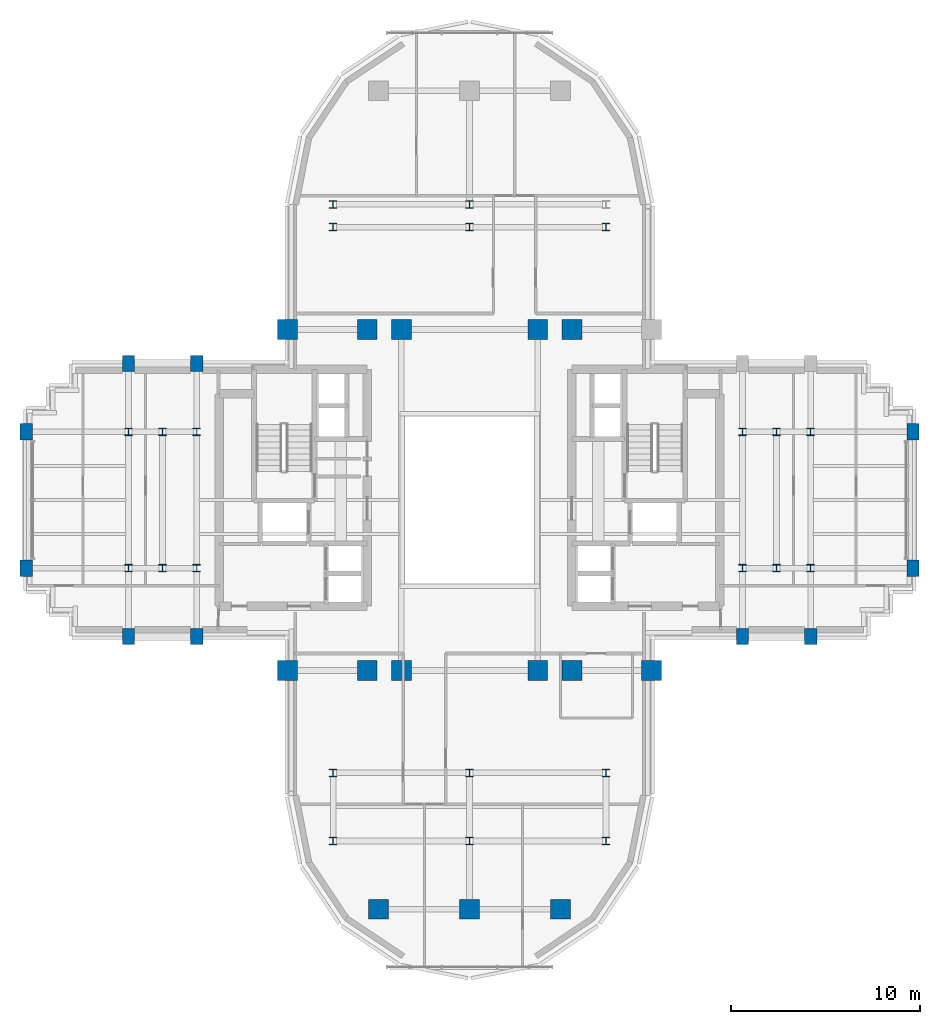
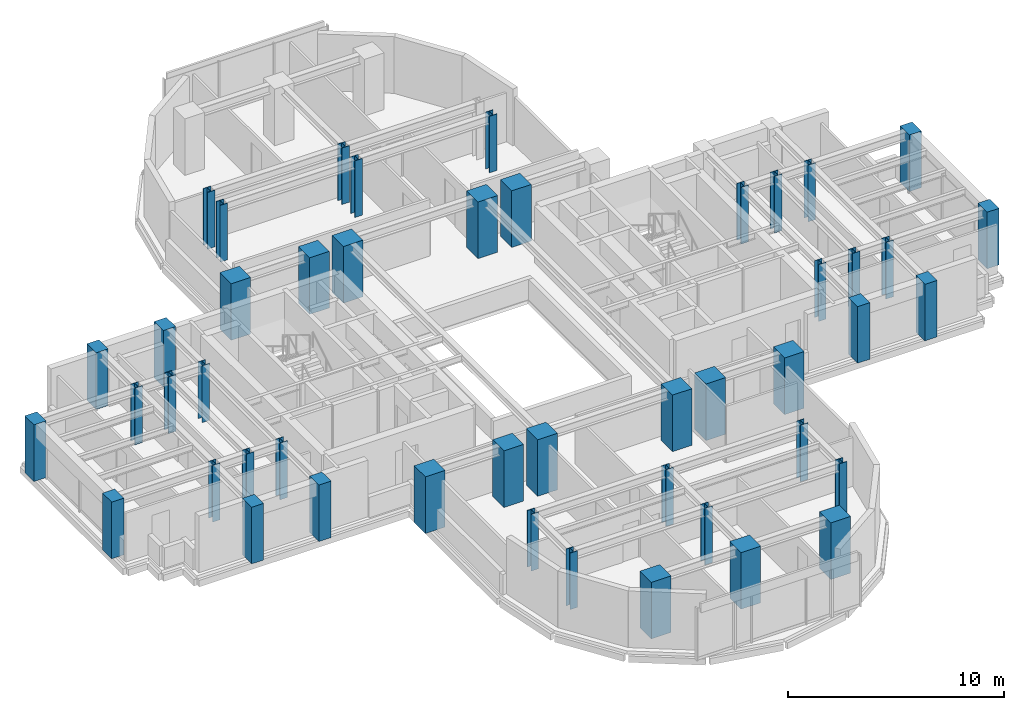
# One storey, part 1 of 14: 47 columns.
"""IFC4 building model written with IfcOpenShell, lengths in metres."""

from ifc_helpers import new_model, si_unit, direction, frame, origin, origin_2d, place, context, subcontext, project, spatial, rectangle, i_section, extrude, source, transform, mapped, material, material_profile, profile_set, type_object, element, save


model = new_model("IFC4")

# Units and contexts
model_context = context("Model", 3, precision=1e-05, world=origin(), true_north=direction((0.0, 1.0)))
body_context = subcontext(model_context, "Body", "Model", "MODEL_VIEW")
ifc_project = project(units=[si_unit("LENGTHUNIT", "METRE"), si_unit("AREAUNIT", "SQUARE_METRE"), si_unit("VOLUMEUNIT", "CUBIC_METRE"), si_unit("PLANEANGLEUNIT", "RADIAN"), si_unit("MASSUNIT", "GRAM", prefix="KILO")], contexts=[model_context])

# Site, building, storey
site_placement = place(None, origin())
site = spatial("IfcSite", under=ifc_project, at=site_placement, CompositionType="ELEMENT")
building_placement = place(site_placement, origin())
building = spatial("IfcBuilding", under=site, at=building_placement, Name="Keilestroom Media Tower", CompositionType="ELEMENT")
storey_placement = place(building_placement, frame((0.0, 0.0, 117.60009765625)))
storey = spatial("IfcBuildingStorey", under=building, at=storey_placement, Name="L31", CompositionType="ELEMENT", Elevation=117.60009765625)

# Columns
ifc_material_1 = material(Name="Precast concrete C40/50", Category="concrete")
ifc_material_profile_1 = material_profile(ifc_material_1, rectangle(XDim=0.64990234375, YDim=0.85009765625, at=origin_2d()), Name="PC 850x650")
ifc_profile_set_1 = profile_set([ifc_material_profile_1], Name="Precast concrete C40/50")
column_type_1 = type_object("IfcColumnType", Name="Structural-Column-PC-850x650", PredefinedType="COLUMN", material=ifc_profile_set_1)
shared_shape_1 = source(origin(), body_context, "Body", "SweptSolid", [
    extrude(rectangle(XDim=0.64990234375, YDim=0.85009765625, at=origin_2d()), origin(), (0.0, 0.0, 1.0), 3.199951171875),
])
for number, where, z_axis, x_axis, name in (
    (1, (-23.39990234375, -3.60009765625, 0.0), (0.0, 0.0, 1.0), (1.0, 0.0, 0.0), "L31 Column PC-2 (-23.4,-3.6)"),
    (2, (-23.39990234375, 3.60009765625, 0.0), (0.0, 0.0, 1.0), (1.0, 0.0, 0.0), "L31 Column PC-2 (-23.4,+3.6)"),
    (3, (-18.0, -7.199951171875, 0.0), (0.0, 0.0, 1.0), (1.0, 0.0, 0.0), "L31 Column PC-2 (-18.0,-7.2)"),
    (4, (-18.0, 7.199951171875, 0.0), (0.0, 0.0, 1.0), (1.0, 0.0, 0.0), "L31 Column PC-2 (-18.0,+7.2)"),
    (5, (-14.39990234375, -7.199951171875, 0.0), (0.0, 0.0, 1.0), (1.0, 0.0, 0.0), "L31 Column PC-2 (-14.4,-7.2)"),
    (6, (-14.39990234375, 7.199951171875, 0.0), (0.0, 0.0, 1.0), (1.0, 0.0, 0.0), "L31 Column PC-2 (-14.4,+7.2)"),
    (7, (14.39990234375, -7.199951171875, 0.0), (0.0, 0.0, 1.0), (1.0, 0.0, 0.0), "L31 Column PC-2 (+14.4,-7.2)"),
    (8, (18.0, -7.199951171875, 0.0), (0.0, 0.0, 1.0), (1.0, 0.0, 0.0), "L31 Column PC-2 (+18.0,-7.2)"),
    (9, (23.39990234375, -3.60009765625, 0.0), (0.0, 0.0, 1.0), (1.0, 0.0, 0.0), "L31 Column PC-2 (+23.4,-3.6)"),
    (10, (23.39990234375, 3.60009765625, 0.0), (0.0, 0.0, 1.0), (1.0, 0.0, 0.0), "L31 Column PC-2 (+23.4,+3.6)"),
):
    element("IfcColumn", number, at=place(storey_placement, frame(where, z_axis=z_axis, x_axis=x_axis)), inside=storey, type_object=column_type_1, Name=name, PredefinedType="COLUMN", context=body_context, shape_type="MappedRepresentation", body=[
        mapped(shared_shape_1, transform((0.0, 0.0, 0.0), x_axis=(1.0, 0.0, 0.0), y_axis=(0.0, 1.0, 0.0), z_axis=(0.0, 0.0, 1.0), scale=1.0)),
    ])
ifc_material_2 = material(Name="Steel S355", Category="steel")
ifc_material_profile_2 = material_profile(ifc_material_2, i_section(OverallWidth=0.40087890625, OverallDepth=0.39892578125, WebThickness=0.02001953125, FlangeThickness=0.031982421875, at=origin_2d()), Name="HD 400x314")
ifc_profile_set_2 = profile_set([ifc_material_profile_2], Name="Steel S355")
column_type_2 = type_object("IfcColumnType", Name="Structural-Column-HD-400x314", PredefinedType="COLUMN", material=ifc_profile_set_2)
shared_shape_2 = source(origin(), body_context, "Body", "SweptSolid", [
    extrude(i_section(OverallWidth=0.40087890625, OverallDepth=0.39892578125, WebThickness=0.02001953125, FlangeThickness=0.031982421875, at=origin_2d()), origin(), (0.0, 0.0, 1.0), 3.199951171875),
])
for number, where, z_axis, x_axis, name in (
    (11, (-18.0, -3.60009765625, 0.0), (0.0, 0.0, 1.0), (1.0, 0.0, 0.0), "L31 Column SC-3 (-18.0,-3.6)"),
    (12, (-18.0, 3.60009765625, 0.0), (0.0, 0.0, 1.0), (1.0, 0.0, 0.0), "L31 Column SC-3 (-18.0,+3.6)"),
    (13, (-16.199951171875, -3.60009765625, 0.0), (0.0, 0.0, 1.0), (1.0, 0.0, 0.0), "L31 Column SC-3 (-16.2,-3.6)"),
    (14, (-16.199951171875, 3.60009765625, 0.0), (0.0, 0.0, 1.0), (1.0, 0.0, 0.0), "L31 Column SC-3 (-16.2,+3.6)"),
    (15, (-14.39990234375, -3.60009765625, 0.0), (0.0, 0.0, 1.0), (1.0, 0.0, 0.0), "L31 Column SC-3 (-14.4,-3.6)"),
    (16, (-14.39990234375, 3.60009765625, 0.0), (0.0, 0.0, 1.0), (1.0, 0.0, 0.0), "L31 Column SC-3 (-14.4,+3.6)"),
    (17, (-7.199951171875, -18.0, 0.0), (0.0, 0.0, 1.0), (1.0, 0.0, 0.0), "L31 Column SC-3 (-7.2,-18.0)"),
    (18, (-7.199951171875, -14.39990234375, 0.0), (0.0, 0.0, 1.0), (1.0, 0.0, 0.0), "L31 Column SC-3 (-7.2,-14.4)"),
    (19, (-7.199951171875, 14.39990234375, 0.0), (0.0, 0.0, 1.0), (1.0, 0.0, 0.0), "L31 Column SC-3 (-7.2,+14.4)"),
    (20, (-7.199951171875, 15.60009765625, 0.0), (0.0, 0.0, 1.0), (1.0, 0.0, 0.0), "L31 Column SC-3 (-7.2,+15.6)"),
    (21, (0.0, -18.0, 0.0), (0.0, 0.0, 1.0), (1.0, 0.0, 0.0), "L31 Column SC-3 (+0.0,-18.0)"),
    (22, (0.0, -14.39990234375, 0.0), (0.0, 0.0, 1.0), (1.0, 0.0, 0.0), "L31 Column SC-3 (+0.0,-14.4)"),
    (23, (0.0, 14.39990234375, 0.0), (0.0, 0.0, 1.0), (1.0, 0.0, 0.0), "L31 Column SC-3 (+0.0,+14.4)"),
    (24, (0.0, 15.60009765625, 0.0), (0.0, 0.0, 1.0), (1.0, 0.0, 0.0), "L31 Column SC-3 (+0.0,+15.6)"),
    (25, (7.199951171875, -18.0, 0.0), (0.0, 0.0, 1.0), (1.0, 0.0, 0.0), "L31 Column SC-3 (+7.2,-18.0)"),
    (26, (7.199951171875, -14.39990234375, 0.0), (0.0, 0.0, 1.0), (1.0, 0.0, 0.0), "L31 Column SC-3 (+7.2,-14.4)"),
    (27, (7.199951171875, 14.39990234375, 0.0), (0.0, 0.0, 1.0), (1.0, 0.0, 0.0), "L31 Column SC-3 (+7.2,+14.4)"),
    (28, (14.39990234375, -3.60009765625, 0.0), (0.0, 0.0, 1.0), (1.0, 0.0, 0.0), "L31 Column SC-3 (+14.4,-3.6)"),
    (29, (14.39990234375, 3.60009765625, 0.0), (0.0, 0.0, 1.0), (1.0, 0.0, 0.0), "L31 Column SC-3 (+14.4,+3.6)"),
    (30, (16.199951171875, -3.60009765625, 0.0), (0.0, 0.0, 1.0), (1.0, 0.0, 0.0), "L31 Column SC-3 (+16.2,-3.6)"),
    (31, (16.199951171875, 3.60009765625, 0.0), (0.0, 0.0, 1.0), (1.0, 0.0, 0.0), "L31 Column SC-3 (+16.2,+3.6)"),
    (32, (18.0, -3.60009765625, 0.0), (0.0, 0.0, 1.0), (1.0, 0.0, 0.0), "L31 Column SC-3 (+18.0,-3.6)"),
    (33, (18.0, 3.60009765625, 0.0), (0.0, 0.0, 1.0), (1.0, 0.0, 0.0), "L31 Column SC-3 (+18.0,+3.6)"),
):
    element("IfcColumn", number, at=place(storey_placement, frame(where, z_axis=z_axis, x_axis=x_axis)), inside=storey, type_object=column_type_2, Name=name, PredefinedType="COLUMN", context=body_context, shape_type="MappedRepresentation", body=[
        mapped(shared_shape_2, transform((0.0, 0.0, 0.0), x_axis=(1.0, 0.0, 0.0), y_axis=(0.0, 1.0, 0.0), z_axis=(0.0, 0.0, 1.0), scale=1.0)),
    ])
ifc_material_3 = material(Name="Concrete C55/67", Category="concrete")
ifc_material_profile_3 = material_profile(ifc_material_3, rectangle(XDim=1.050048828125, YDim=1.050048828125, at=origin_2d()), Name="RC 1050x1050")
ifc_profile_set_3 = profile_set([ifc_material_profile_3], Name="Concrete C55/67")
column_type_3 = type_object("IfcColumnType", Name="Structural-Column-RC-1050x1050", PredefinedType="COLUMN", material=ifc_profile_set_3)
shared_shape_3 = source(origin(), body_context, "Body", "SweptSolid", [
    extrude(rectangle(XDim=1.050048828125, YDim=1.050048828125, at=origin_2d()), origin(), (0.0, 0.0, 1.0), 3.199951171875),
])
for number, where, z_axis, x_axis, name in (
    (34, (-9.60009765625, -9.0, 0.0), (0.0, 0.0, 1.0), (1.0, 0.0, 0.0), "L31 Column MC-3 (-9.6,-9.0)"),
    (35, (-9.60009765625, 9.0, 0.0), (0.0, 0.0, 1.0), (1.0, 0.0, 0.0), "L31 Column MC-3 (-9.6,+9.0)"),
    (36, (-5.39990234375, -9.0, 0.0), (0.0, 0.0, 1.0), (1.0, 0.0, 0.0), "L31 Column MC-3 (-5.4,-9.0)"),
    (37, (-5.39990234375, 9.0, 0.0), (0.0, 0.0, 1.0), (1.0, 0.0, 0.0), "L31 Column MC-3 (-5.4,+9.0)"),
    (38, (-4.800048828125, -21.60009765625, 0.0), (0.0, 0.0, 1.0), (1.0, 0.0, 0.0), "L31 Column MC-3 (-4.8,-21.6)"),
    (39, (-3.60009765625, -9.0, 0.0), (0.0, 0.0, 1.0), (1.0, 0.0, 0.0), "L31 Column MC-3 (-3.6,-9.0)"),
    (40, (-3.60009765625, 9.0, 0.0), (0.0, 0.0, 1.0), (1.0, 0.0, 0.0), "L31 Column MC-3 (-3.6,+9.0)"),
    (41, (0.0, -21.60009765625, 0.0), (0.0, 0.0, 1.0), (1.0, 0.0, 0.0), "L31 Column MC-3 (+0.0,-21.6)"),
    (42, (3.60009765625, -9.0, 0.0), (0.0, 0.0, 1.0), (1.0, 0.0, 0.0), "L31 Column MC-3 (+3.6,-9.0)"),
    (43, (3.60009765625, 9.0, 0.0), (0.0, 0.0, 1.0), (1.0, 0.0, 0.0), "L31 Column MC-3 (+3.6,+9.0)"),
    (44, (4.800048828125, -21.60009765625, 0.0), (0.0, 0.0, 1.0), (1.0, 0.0, 0.0), "L31 Column MC-3 (+4.8,-21.6)"),
    (45, (5.39990234375, -9.0, 0.0), (0.0, 0.0, 1.0), (1.0, 0.0, 0.0), "L31 Column MC-3 (+5.4,-9.0)"),
    (46, (5.39990234375, 9.0, 0.0), (0.0, 0.0, 1.0), (1.0, 0.0, 0.0), "L31 Column MC-3 (+5.4,+9.0)"),
    (47, (9.60009765625, -9.0, 0.0), (0.0, 0.0, 1.0), (1.0, 0.0, 0.0), "L31 Column MC-3 (+9.6,-9.0)"),
):
    element("IfcColumn", number, at=place(storey_placement, frame(where, z_axis=z_axis, x_axis=x_axis)), inside=storey, type_object=column_type_3, Name=name, PredefinedType="COLUMN", context=body_context, shape_type="MappedRepresentation", body=[
        mapped(shared_shape_3, transform((0.0, 0.0, 0.0), x_axis=(1.0, 0.0, 0.0), y_axis=(0.0, 1.0, 0.0), z_axis=(0.0, 0.0, 1.0), scale=1.0)),
    ])

save(model, "model.ifc")
